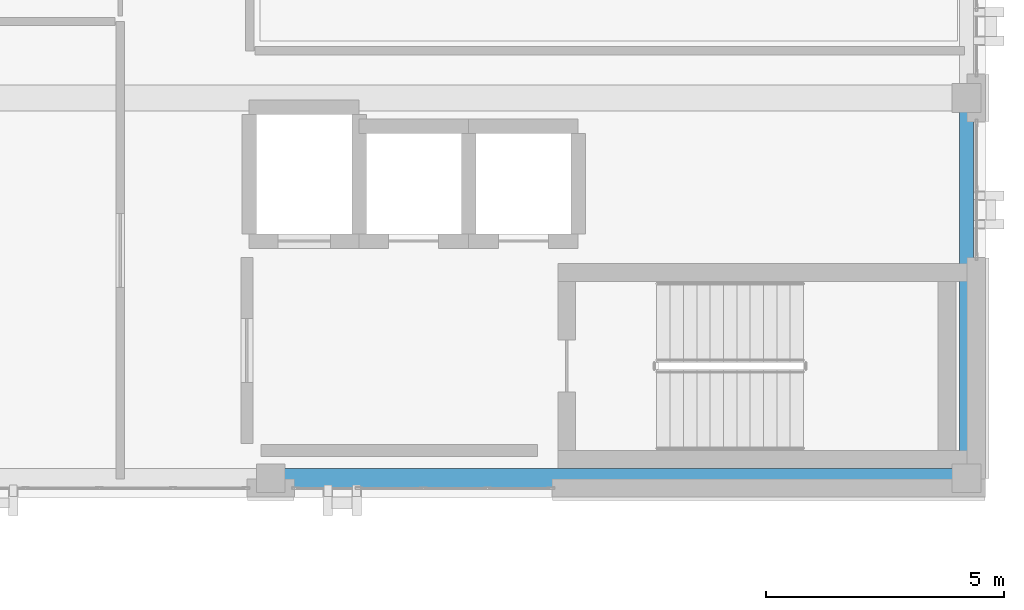
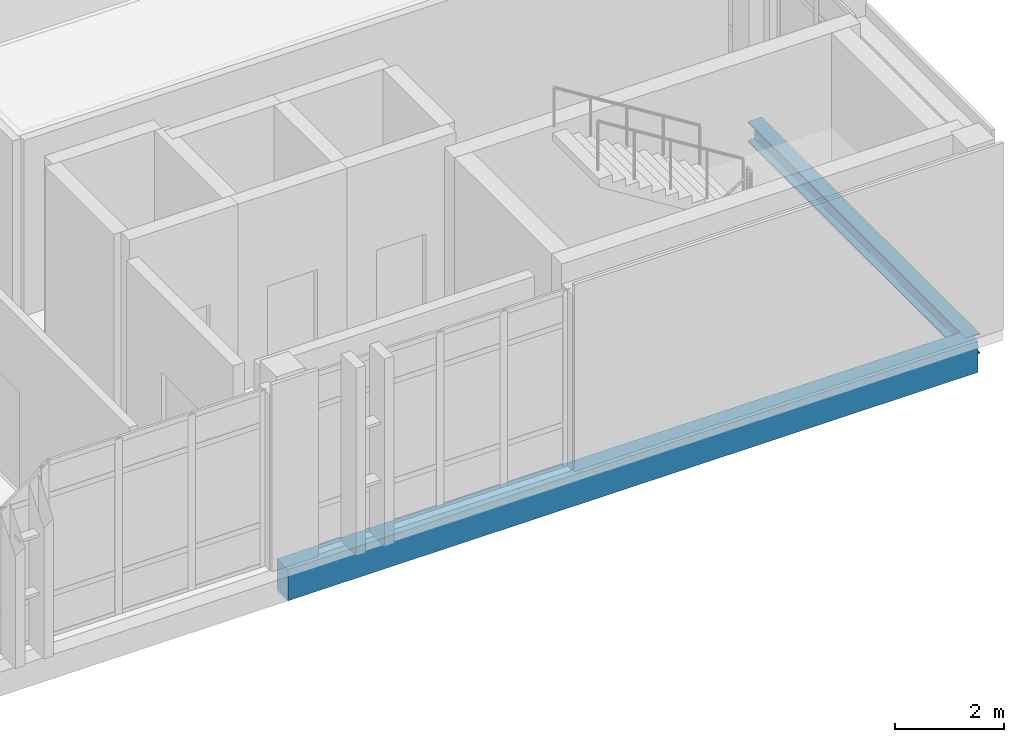
# One storey, part 23 of 90: 2 beams.
"""IFC4 building model written with IfcOpenShell, lengths in metres."""

from ifc_helpers import new_model, si_unit, direction, frame, origin, origin_2d, place, context, subcontext, project, spatial, rectangle, i_section, extrude, material, material_profile, profile_set, type_object, element, save


model = new_model("IFC4")

# Units and contexts
model_context = context("Model", 3, precision=1e-05, world=origin(), true_north=direction((0.0, 1.0)))
body_context = subcontext(model_context, "Body", "Model", "MODEL_VIEW")
ifc_project = project(units=[si_unit("LENGTHUNIT", "METRE"), si_unit("AREAUNIT", "SQUARE_METRE"), si_unit("VOLUMEUNIT", "CUBIC_METRE"), si_unit("PLANEANGLEUNIT", "RADIAN"), si_unit("MASSUNIT", "GRAM", prefix="KILO")], contexts=[model_context])

# Site, building, storey
site_placement = place(None, origin())
site = spatial("IfcSite", under=ifc_project, at=site_placement, CompositionType="ELEMENT")
building_placement = place(site_placement, origin())
building = spatial("IfcBuilding", under=site, at=building_placement, Name="Qalavern Law Courts", CompositionType="ELEMENT")
storey_placement = place(building_placement, frame((0.0, 0.0, 22.800048828125)))
storey = spatial("IfcBuildingStorey", under=building, at=storey_placement, Name="L05", CompositionType="ELEMENT", Elevation=22.800048828125)

# Beams
ifc_material_1 = material(Name="Steel S355", Category="steel")
ifc_material_profile_1 = material_profile(ifc_material_1, i_section(OverallWidth=0.300048828125, OverallDepth=0.449951171875, WebThickness=0.013916015625, FlangeThickness=0.02587890625, FilletRadius=0.027099609375, at=origin_2d()), Name="HEB 450")
ifc_profile_set_1 = profile_set([ifc_material_profile_1], Name="Steel S355")
beam_type_1 = type_object("IfcBeamType", Name="STR-SP-HEB450", PredefinedType="SPANDREL", material=ifc_profile_set_1)
beam_1_placement = place(storey_placement, frame((106.39990234375, 41.419921875, -0.5), z_axis=(0.0, 1.0, 0.0), x_axis=(-1.0, 0.0, 0.0)))
element("IfcBeam", 1, at=beam_1_placement, inside=storey, type_object=beam_type_1, Name="V4 Y-beam 3-1 L05", PredefinedType="SPANDREL", context=body_context, shape_type="SweptSolid", body=[
    extrude(i_section(OverallWidth=0.300048828125, OverallDepth=0.449951171875, WebThickness=0.013916015625, FlangeThickness=0.02587890625, FilletRadius=0.027099609375, at=origin_2d()), origin(), (0.0, 0.0, 1.0), 7.97998046875),
])
ifc_material_2 = material(Name="Concrete C40/50", Category="concrete")
ifc_material_profile_2 = material_profile(ifc_material_2, rectangle(XDim=0.39990234375, YDim=0.699951171875, at=origin_2d()), Name="RC 400x700")
ifc_profile_set_2 = profile_set([ifc_material_profile_2], Name="Concrete C40/50")
beam_type_2 = type_object("IfcBeamType", Name="STR-SP-RC400x700", PredefinedType="SPANDREL", material=ifc_profile_set_2)
beam_2_placement = place(storey_placement, frame((91.800048828125, 41.419921875, -0.625), z_axis=(1.0, 0.0, 0.0), x_axis=(0.0, 1.0, 0.0)))
element("IfcBeam", 2, at=beam_2_placement, inside=storey, type_object=beam_type_2, Name="V4 X-beam 1-2 L05", PredefinedType="SPANDREL", context=body_context, shape_type="SweptSolid", body=[
    extrude(rectangle(XDim=0.39990234375, YDim=0.699951171875, at=origin_2d()), origin(), (0.0, 0.0, 1.0), 14.599853515625),
])

save(model, "model.ifc")
